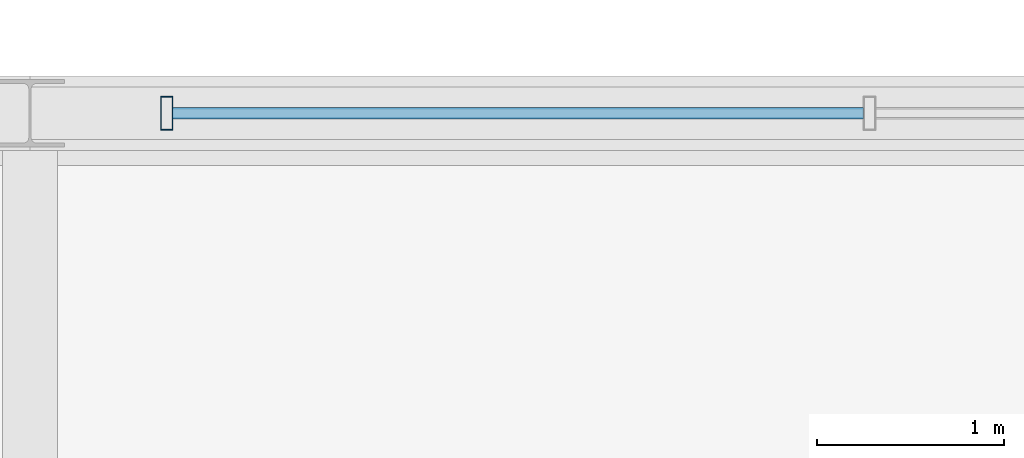
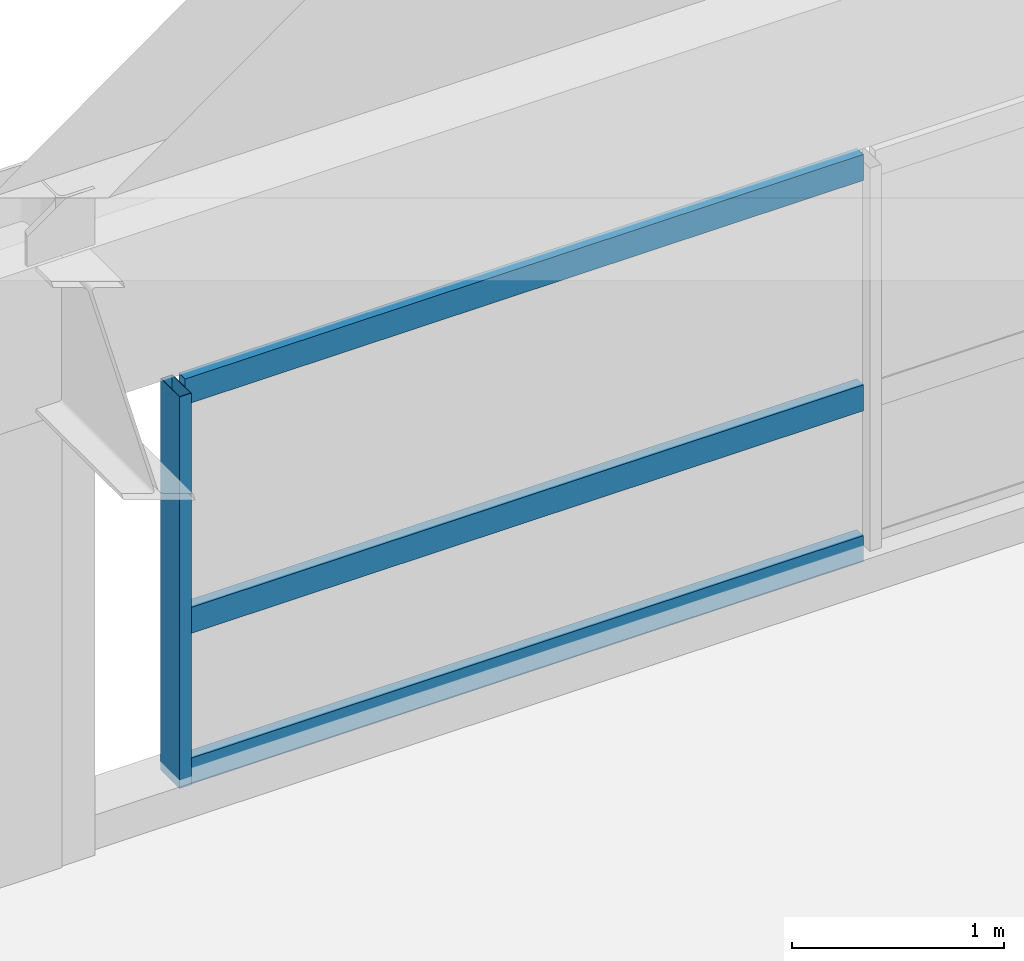
# One storey, part 80 of 108: 4 members, 1 element without a shape of its own.
"""IFC4 building model written with IfcOpenShell, lengths in metres."""

import ifcopenshell
import ifcopenshell.guid

model = None  # the IFC model being written
_history = None  # IfcOwnerHistory: only IFC2X3 demands one
_inside = {}  # id of a spatial element -> (the spatial element, [elements in it])
_under = {}  # id of a project, library or spatial element -> (it, [spatial elements below it])
_declared = {}  # id of a project -> (the project, [libraries it declares])
_typed = {}  # id of a type object -> (the type object, [elements of that type])
_made_of = {}  # id of a material, layer set ... -> (it, [elements and type objects made of it])


def new_model(schema):
    """Start an empty IFC model of exactly this schema.

    Asked for "IFC4X3", IfcOpenShell would pick the latest addendum, in which some entities
    have other attributes; the version numbers below select the first issue.
    IFC2X3 requires an IfcOwnerHistory on every rooted entity: one is made here for all.
    """
    global model, _history
    if schema == "IFC4X3":
        model = ifcopenshell.file(schema_version=(4, 3, 0, 0))
    else:
        model = ifcopenshell.file(schema=schema)
    _inside.clear()
    _under.clear()
    _declared.clear()
    _typed.clear()
    _made_of.clear()
    _history = None
    if model.schema == "IFC2X3":
        org = make("IfcOrganization", Name="unknown")
        user = make(
            "IfcPersonAndOrganization",
            ThePerson=make("IfcPerson", FamilyName="unknown"),
            TheOrganization=org,
        )
        app = make(
            "IfcApplication",
            ApplicationDeveloper=org,
            Version="unknown",
            ApplicationFullName="unknown",
            ApplicationIdentifier="unknown",
        )
        _history = make(
            "IfcOwnerHistory",
            OwningUser=user,
            OwningApplication=app,
            ChangeAction="ADDED",
            CreationDate=0,
        )
    return model


def make(cls, **values):
    """One entity of the class cls with the attributes given. An attribute that is None is left unset."""
    return model.create_entity(
        cls, **{name: value for name, value in values.items() if value is not None}
    )


def rooted(cls, **values):
    """An entity with a GlobalId (a new one), such as an element, a storey or a relation."""
    return make(cls, GlobalId=ifcopenshell.guid.new(), OwnerHistory=_history, **values)


def si_unit(unit_type, name, prefix=None):
    """IfcSIUnit, for example si_unit("LENGTHUNIT", "METRE", prefix="MILLI")."""
    return make("IfcSIUnit", UnitType=unit_type, Prefix=prefix, Name=name)


def assignment(units):
    """IfcUnitAssignment: the units of a project."""
    return None if units is None else make("IfcUnitAssignment", Units=units)


def point(xyz):
    """IfcCartesianPoint."""
    return None if xyz is None else make("IfcCartesianPoint", Coordinates=xyz)


def direction(xyz):
    """IfcDirection."""
    return None if xyz is None else make("IfcDirection", DirectionRatios=xyz)


def frame(location, z_axis=None, x_axis=None):
    """IfcAxis2Placement3D, a coordinate frame: its origin and axes. An axis left out is left unset."""
    return make(
        "IfcAxis2Placement3D",
        Location=point(location),
        Axis=direction(z_axis),
        RefDirection=direction(x_axis),
    )


def frame_2d(location, x_axis=None):
    """IfcAxis2Placement2D, a coordinate frame in the plane: its origin and x axis."""
    return make(
        "IfcAxis2Placement2D", Location=point(location), RefDirection=direction(x_axis)
    )


def origin():
    """The frame at (0, 0, 0) with its axes left unset."""
    return frame((0.0, 0.0, 0.0))


def origin_2d():
    """The frame at (0, 0) in the plane with its x axis left unset."""
    return frame_2d((0.0, 0.0))


def place(relative_to, where):
    """IfcLocalPlacement: puts the frame where relative to a parent placement (None: the world)."""
    return make(
        "IfcLocalPlacement", PlacementRelTo=relative_to, RelativePlacement=where
    )


def context(
    kind, dimensions, precision=None, world=None, true_north=None, identifier=None
):
    """IfcGeometricRepresentationContext, for example the 3D "Model" context."""
    return make(
        "IfcGeometricRepresentationContext",
        ContextIdentifier=identifier,
        ContextType=kind,
        CoordinateSpaceDimension=dimensions,
        Precision=precision,
        WorldCoordinateSystem=world,
        TrueNorth=true_north,
    )


def subcontext(parent, identifier, kind, view, scale=None):
    """IfcGeometricRepresentationSubContext, for example "Body" below "Model"."""
    return make(
        "IfcGeometricRepresentationSubContext",
        ContextIdentifier=identifier,
        ContextType=kind,
        ParentContext=parent,
        TargetScale=scale,
        TargetView=view,
    )


def project(units=None, contexts=None):
    """IfcProject with its units and contexts."""
    return rooted(
        "IfcProject",
        Name="project",
        RepresentationContexts=contexts,
        UnitsInContext=assignment(units),
    )


def spatial(cls, under=None, at=None, **own):
    """A site, building, storey or space (cls), placed at a placement, below another one or the project."""
    s = rooted(cls, ObjectPlacement=at, **own)
    if under is not None:
        _under.setdefault(under.id(), (under, []))[1].append(s)
    return s


def profile(cls, at=None, kind="AREA", **sizes):
    """A parametric profile (cls). Its sizes go by their IFC names, for example OverallWidth=200.0."""
    return make(cls, ProfileType=kind, Position=at, **sizes)


def hollow_rectangle(**sizes):
    """IfcRectangleHollowProfileDef."""
    return profile("IfcRectangleHollowProfileDef", **sizes)


def extrude(swept, where, along, depth):
    """IfcExtrudedAreaSolid: the profile swept, set in the frame where, extruded along a direction by depth."""
    return make(
        "IfcExtrudedAreaSolid",
        SweptArea=swept,
        Position=where,
        ExtrudedDirection=direction(along),
        Depth=depth,
    )


def shape(context_of_items, identifier, shape_type, items):
    """IfcShapeRepresentation: the items that make up one representation, for example the "Body"."""
    return make(
        "IfcShapeRepresentation",
        ContextOfItems=context_of_items,
        RepresentationIdentifier=identifier,
        RepresentationType=shape_type,
        Items=items,
    )


def material(Name=None, Category=None):
    """IfcMaterial."""
    return make("IfcMaterial", Name=Name, Category=Category)


def material_profile(
    of_material, cross_section, Name=None, Category=None, Priority=None
):
    """IfcMaterialProfile: a cross section and its material."""
    return make(
        "IfcMaterialProfile",
        Name=Name,
        Material=of_material,
        Profile=cross_section,
        Priority=Priority,
        Category=Category,
    )


def profile_set(profiles, Name=None, composite=None):
    """IfcMaterialProfileSet."""
    return make(
        "IfcMaterialProfileSet",
        Name=Name,
        MaterialProfiles=profiles,
        CompositeProfile=composite,
    )


def made_of(thing, what):
    """Note that an element or type object is made of a material, layer set ...; save() writes the relation."""
    if what is not None:
        _made_of.setdefault(what.id(), (what, []))[1].append(thing)
    return thing


def type_object(cls, material=None, **own):
    """A type object (cls), such as IfcWallType, which elements share."""
    return made_of(rooted(cls, **own), material)


def element(
    cls,
    number,
    at=None,
    inside=None,
    cuts=None,
    type_object=None,
    material=None,
    context=None,
    identifier="Body",
    shape_type=None,
    held_by="IfcProductDefinitionShape",
    body=None,
    shapes=None,
    **own,
):
    """One element of the class cls, such as IfcWall. Its Tag is "e" and its number.

    at: its placement. inside: the storey or other place that contains it. cuts: it is an
    opening in that element (IfcRelVoidsElement). A single representation is given by context,
    identifier, shape_type and body (its items); several are given by shapes. held_by: the class
    of the entity that holds the representations. save() writes the other relations.
    """
    e = rooted(cls, Tag="e%d" % number, ObjectPlacement=at, **own)
    if body is not None:
        shapes = [shape(context, identifier, shape_type, body)]
    if shapes is not None:
        e.Representation = make(held_by, Representations=shapes)
    if inside is not None:
        _inside.setdefault(inside.id(), (inside, []))[1].append(e)
    if cuts is not None:
        rooted(
            "IfcRelVoidsElement", RelatingBuildingElement=cuts, RelatedOpeningElement=e
        )
    if type_object is not None:
        _typed.setdefault(type_object.id(), (type_object, []))[1].append(e)
    return made_of(e, material)


def aggregate(whole, parts):
    """IfcRelAggregates: a whole, such as a stair, and the parts it consists of."""
    return rooted("IfcRelAggregates", RelatingObject=whole, RelatedObjects=parts)


def save(model, path):
    """Write the relations noted so far, then the file.

    IfcRelAggregates (storeys below a building ...), IfcRelContainedInSpatialStructure (elements
    in a storey), IfcRelDefinesByType, IfcRelAssociatesMaterial and IfcRelDeclares: one each for
    every whole, place, type object, material and project.
    """
    for whole, parts in _under.values():
        aggregate(whole, parts)
    for where, things in _inside.values():
        rooted(
            "IfcRelContainedInSpatialStructure",
            RelatedElements=things,
            RelatingStructure=where,
        )
    for kind, things in _typed.values():
        rooted("IfcRelDefinesByType", RelatedObjects=things, RelatingType=kind)
    for what, things in _made_of.values():
        rooted("IfcRelAssociatesMaterial", RelatedObjects=things, RelatingMaterial=what)
    for by, libraries in _declared.values():
        rooted("IfcRelDeclares", RelatingContext=by, RelatedDefinitions=libraries)
    model.write(path)


model = new_model("IFC4")

# Units and contexts
model_context = context("Model", 3, precision=1e-05, world=origin(), true_north=direction((0.0, 1.0)))
body_context = subcontext(model_context, "Body", "Model", "MODEL_VIEW")
ifc_project = project(units=[si_unit("LENGTHUNIT", "METRE"), si_unit("AREAUNIT", "SQUARE_METRE"), si_unit("VOLUMEUNIT", "CUBIC_METRE"), si_unit("PLANEANGLEUNIT", "RADIAN"), si_unit("MASSUNIT", "GRAM", prefix="KILO")], contexts=[model_context])

# Site, building, storey
site_placement = place(None, origin())
site = spatial("IfcSite", under=ifc_project, at=site_placement, CompositionType="ELEMENT")
building_placement = place(site_placement, origin())
building = spatial("IfcBuilding", under=site, at=building_placement, Name="Kaldorvane Square Convention Centre", CompositionType="ELEMENT")
storey_placement = place(building_placement, frame((0.0, 0.0, 23.399993896484375)))
storey = spatial("IfcBuildingStorey", under=building, at=storey_placement, Name="L04", CompositionType="ELEMENT", Elevation=23.399993896484375)

# Curtain wall, members
ifc_material = material(Name="Anodized Aluminum and Low-E Insulated Glazing", Category="aluminium")
curtain_wall_type = type_object("IfcCurtainWallType", Name="CW-UNI-P42-09", PredefinedType="USERDEFINED", material=ifc_material)
curtain_wall_placement = place(storey_placement, origin())
curtain_wall = element("IfcCurtainWall", 1, at=curtain_wall_placement, inside=storey, type_object=curtain_wall_type, Name="Curtain Wall CW-06 (L04)", ObjectType="UNITISED GLAZING", PredefinedType="USERDEFINED")
ifc_material_profile_1 = material_profile(ifc_material, hollow_rectangle(XDim=0.06500244140625, YDim=0.17999267578125, WallThickness=0.0034942626953125, at=origin_2d()), Name="CWM-180X65")
ifc_profile_set_1 = profile_set([ifc_material_profile_1], Name="Anodized Aluminum and Low-E Insulated Glazing")
member_type_1 = type_object("IfcMemberType", Name="CW-MUL-180", PredefinedType="MULLION", material=ifc_profile_set_1)
member_1_placement = place(storey_placement, frame((156.7324981689453, 117.0, 0.1500091552734375), z_axis=(0.0, 0.0, 1.0), x_axis=(-1.0, 0.0, 0.0)))
member_1 = element("IfcMember", 2, at=member_1_placement, type_object=member_type_1, Name="CW-06 mullion 3", PredefinedType="MULLION", context=body_context, shape_type="SweptSolid", body=[
    extrude(hollow_rectangle(XDim=0.06500244140625, YDim=0.17999267578125, WallThickness=0.0034942626953125, at=origin_2d()), origin(), (0.0, 0.0, 1.0), 2.2599945068359375),
])
ifc_material_profile_2 = material_profile(ifc_material, hollow_rectangle(XDim=0.05999755859375, YDim=0.149993896484375, WallThickness=0.003204345703125, at=origin_2d()), Name="CWT-150X60")
ifc_profile_set_2 = profile_set([ifc_material_profile_2], Name="Anodized Aluminum and Low-E Insulated Glazing")
member_type_2 = type_object("IfcMemberType", Name="CW-TRN-150", PredefinedType="USERDEFINED", material=ifc_profile_set_2)
member_2_placement = place(storey_placement, frame((160.46749877929688, 117.0, 0.1800079345703125), z_axis=(-1.0, 0.0, 0.0), x_axis=(0.0, -1.0, 0.0)))
member_2 = element("IfcMember", 3, at=member_2_placement, type_object=member_type_2, Name="CW-06 transom 2.1", ObjectType="TRANSOM", PredefinedType="USERDEFINED", context=body_context, shape_type="SweptSolid", body=[
    extrude(hollow_rectangle(XDim=0.05999755859375, YDim=0.149993896484375, WallThickness=0.003204345703125, at=origin_2d()), origin(), (0.0, 0.0, 1.0), 3.7024993896484375),
])
member_3_placement = place(storey_placement, frame((160.46749877929688, 117.0, 1.0500030517578125), z_axis=(-1.0, 0.0, 0.0), x_axis=(0.0, -1.0, 0.0)))
member_3 = element("IfcMember", 4, at=member_3_placement, type_object=member_type_2, Name="CW-06 transom 2.2", ObjectType="TRANSOM", PredefinedType="USERDEFINED", context=body_context, shape_type="SweptSolid", body=[
    extrude(hollow_rectangle(XDim=0.05999755859375, YDim=0.149993896484375, WallThickness=0.003204345703125, at=origin_2d()), origin(), (0.0, 0.0, 1.0), 3.7024993896484375),
])
member_4_placement = place(storey_placement, frame((160.46749877929688, 117.0, 2.3800048828125), z_axis=(-1.0, 0.0, 0.0), x_axis=(0.0, -1.0, 0.0)))
member_4 = element("IfcMember", 5, at=member_4_placement, type_object=member_type_2, Name="CW-06 transom 2.3", ObjectType="TRANSOM", PredefinedType="USERDEFINED", context=body_context, shape_type="SweptSolid", body=[
    extrude(hollow_rectangle(XDim=0.05999755859375, YDim=0.149993896484375, WallThickness=0.003204345703125, at=origin_2d()), origin(), (0.0, 0.0, 1.0), 3.7024993896484375),
])
aggregate(curtain_wall, [member_1, member_2, member_3, member_4])

save(model, "model.ifc")
